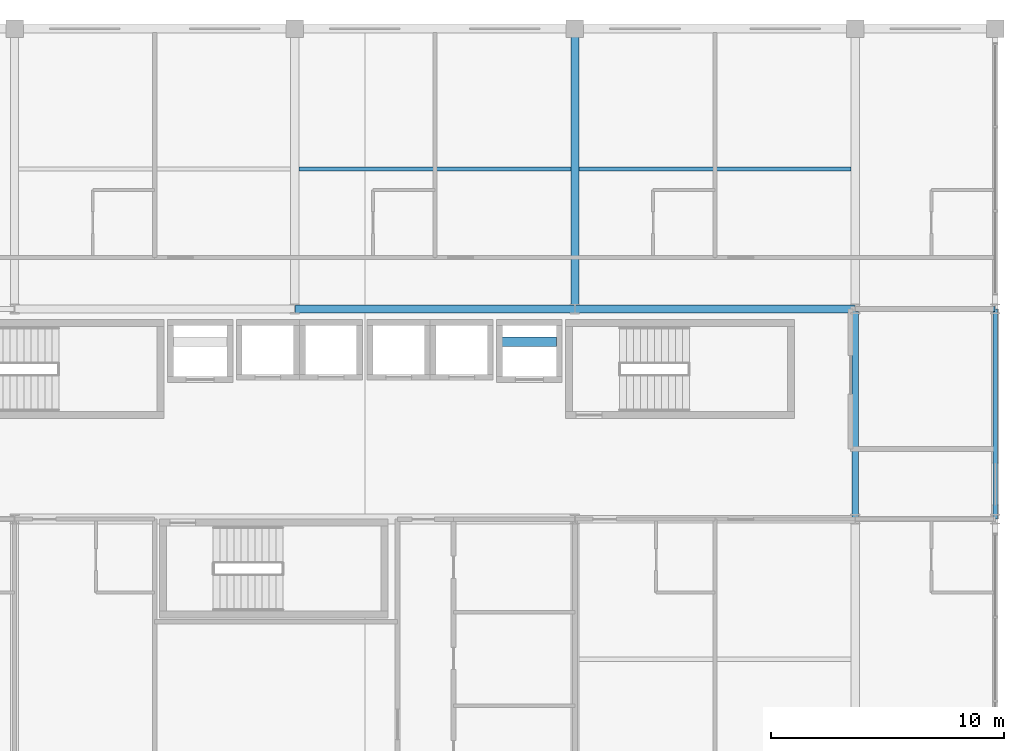
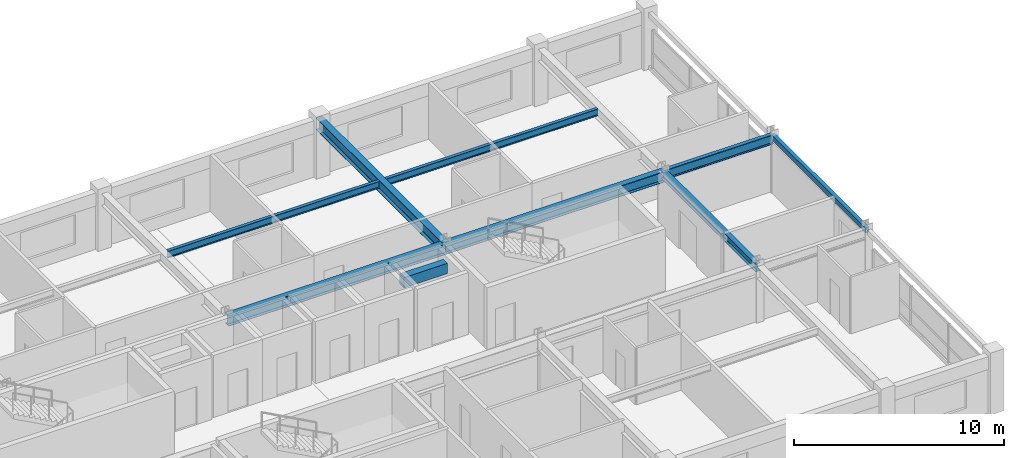
# One storey, part 11 of 21: 9 beams.
"""IFC4 building model written with IfcOpenShell, lengths in metres."""

from ifc_helpers import new_model, si_unit, direction, frame, origin, origin_2d, place, context, subcontext, project, spatial, rectangle, hollow_rectangle, i_section, extrude, material, material_profile, profile_set, type_object, element, save


model = new_model("IFC4")

# Units and contexts
model_context = context("Model", 3, precision=1e-05, world=origin(), true_north=direction((0.0, 1.0)))
body_context = subcontext(model_context, "Body", "Model", "MODEL_VIEW")
ifc_project = project(units=[si_unit("LENGTHUNIT", "METRE"), si_unit("AREAUNIT", "SQUARE_METRE"), si_unit("VOLUMEUNIT", "CUBIC_METRE"), si_unit("PLANEANGLEUNIT", "RADIAN"), si_unit("MASSUNIT", "GRAM", prefix="KILO")], contexts=[model_context])

# Site, building, storey
site_placement = place(None, origin())
site = spatial("IfcSite", under=ifc_project, at=site_placement, CompositionType="ELEMENT")
building_placement = place(site_placement, origin())
building = spatial("IfcBuilding", under=site, at=building_placement, Name="Kaldorvane Square Convention Centre", CompositionType="ELEMENT")
storey_placement = place(building_placement, frame((0.0, 0.0, 49.19999694824219)))
storey = spatial("IfcBuildingStorey", under=building, at=storey_placement, Name="L11", CompositionType="ELEMENT", Elevation=49.19999694824219)

# Beams
ifc_material_1 = material(Name="Steel ASTM A992 Gr. 50", Category="steel")
ifc_material_profile_1 = material_profile(ifc_material_1, i_section(OverallWidth=0.213897705078125, OverallDepth=0.549102783203125, WebThickness=0.0146942138671875, FlangeThickness=0.0236053466796875, FilletRadius=0.0126953125, at=origin_2d()), Name="W21X93")
ifc_profile_set_1 = profile_set([ifc_material_profile_1], Name="Steel ASTM A992 Gr. 50")
beam_type_1 = type_object("IfcBeamType", Name="BM-GR-W21X93", PredefinedType="BEAM", material=ifc_profile_set_1)
beam_1_placement = place(storey_placement, frame((78.0, 105.0, 3.011505126953125), z_axis=(1.0, 0.0, 0.0), x_axis=(0.0, 1.0, 0.0)))
element("IfcBeam", 1, at=beam_1_placement, inside=storey, type_object=beam_type_1, Name="Primary Girder (L11)", PredefinedType="BEAM", context=body_context, shape_type="SweptSolid", body=[
    extrude(i_section(OverallWidth=0.213897705078125, OverallDepth=0.549102783203125, WebThickness=0.0146942138671875, FlangeThickness=0.0236053466796875, FilletRadius=0.0126953125, at=origin_2d()), origin(), (0.0, 0.0, 1.0), 6.0),
])
ifc_material_profile_2 = material_profile(ifc_material_1, i_section(OverallWidth=0.326507568359375, OverallDepth=0.621795654296875, WebThickness=0.0153961181640625, FlangeThickness=0.0243988037109375, FilletRadius=0.0126953125, at=origin_2d()), Name="W24X131")
ifc_profile_set_2 = profile_set([ifc_material_profile_2], Name="Steel ASTM A992 Gr. 50")
beam_type_2 = type_object("IfcBeamType", Name="BM-GR-W24X131", PredefinedType="BEAM", material=ifc_profile_set_2)
for number, where, z_axis, x_axis, name in (
    (2, (54.0, 105.0, 2.97509765625), (1.0, 0.0, 0.0), (0.0, 1.0, 0.0), "Primary Girder (L11)"),
    (3, (66.0, 105.0, 2.97509765625), (1.0, 0.0, 0.0), (0.0, 1.0, 0.0), "Primary Girder (L11)"),
):
    element("IfcBeam", number, at=place(storey_placement, frame(where, z_axis=z_axis, x_axis=x_axis)), inside=storey, type_object=beam_type_2, Name=name, PredefinedType="BEAM", context=body_context, shape_type="SweptSolid", body=[
        extrude(i_section(OverallWidth=0.326507568359375, OverallDepth=0.621795654296875, WebThickness=0.0153961181640625, FlangeThickness=0.0243988037109375, FilletRadius=0.0126953125, at=origin_2d()), origin(), (0.0, 0.0, 1.0), 12.0),
    ])
ifc_material_profile_3 = material_profile(ifc_material_1, i_section(OverallWidth=0.354705810546875, OverallDepth=0.69549560546875, WebThickness=0.0153961181640625, FlangeThickness=0.0251007080078125, FilletRadius=0.01519775390625, at=origin_2d()), Name="W27X146")
ifc_profile_set_3 = profile_set([ifc_material_profile_3], Name="Steel ASTM A992 Gr. 50")
beam_type_3 = type_object("IfcBeamType", Name="BM-GR-W27X146", PredefinedType="BEAM", material=ifc_profile_set_3)
beam_2_placement = place(storey_placement, frame((66.0, 105.0, 2.9383087158203125), z_axis=(0.0, 1.0, 0.0), x_axis=(-1.0, 0.0, 0.0)))
element("IfcBeam", 4, at=beam_2_placement, inside=storey, type_object=beam_type_3, Name="Transverse Girder (L11)", PredefinedType="BEAM", context=body_context, shape_type="SweptSolid", body=[
    extrude(i_section(OverallWidth=0.354705810546875, OverallDepth=0.69549560546875, WebThickness=0.0153961181640625, FlangeThickness=0.0251007080078125, FilletRadius=0.01519775390625, at=origin_2d()), origin(), (0.0, 0.0, 1.0), 12.0),
])
ifc_material_profile_4 = material_profile(ifc_material_1, i_section(OverallWidth=0.177398681640625, OverallDepth=0.403106689453125, WebThickness=0.00750732421875, FlangeThickness=0.010894775390625, FilletRadius=0.01019287109375, at=origin_2d()), Name="W16X36")
ifc_profile_set_4 = profile_set([ifc_material_profile_4], Name="Steel ASTM A992 Gr. 50")
beam_type_4 = type_object("IfcBeamType", Name="BM-JS-W16X36", PredefinedType="JOIST", material=ifc_profile_set_4)
beam_3_placement = place(storey_placement, frame((54.17730712890625, 111.0, 3.084503173828125), z_axis=(1.0, 0.0, 0.0), x_axis=(0.0, 1.0, 0.0)))
element("IfcBeam", 5, at=beam_3_placement, inside=storey, type_object=beam_type_4, Name="Secondary Floor Joist (L11)", PredefinedType="JOIST", context=body_context, shape_type="SweptSolid", body=[
    extrude(i_section(OverallWidth=0.177398681640625, OverallDepth=0.403106689453125, WebThickness=0.00750732421875, FlangeThickness=0.010894775390625, FilletRadius=0.01019287109375, at=origin_2d()), origin(), (0.0, 0.0, 1.0), 11.645294189453125),
])
beam_4_placement = place(storey_placement, frame((66.17739868164062, 111.0, 3.084503173828125), z_axis=(1.0, 0.0, 0.0), x_axis=(0.0, 1.0, 0.0)))
element("IfcBeam", 6, at=beam_4_placement, inside=storey, type_object=beam_type_4, Name="Secondary Floor Joist (L11)", PredefinedType="JOIST", context=body_context, shape_type="SweptSolid", body=[
    extrude(i_section(OverallWidth=0.177398681640625, OverallDepth=0.403106689453125, WebThickness=0.00750732421875, FlangeThickness=0.010894775390625, FilletRadius=0.01019287109375, at=origin_2d()), origin(), (0.0, 0.0, 1.0), 11.64520263671875),
])
ifc_material_profile_5 = material_profile(ifc_material_1, i_section(OverallWidth=0.2799072265625, OverallDepth=0.462799072265625, WebThickness=0.01080322265625, FlangeThickness=0.017303466796875, FilletRadius=0.01019287109375, at=origin_2d()), Name="W18X76")
ifc_profile_set_5 = profile_set([ifc_material_profile_5], Name="Steel ASTM A992 Gr. 50")
beam_type_5 = type_object("IfcBeamType", Name="BM-JS-W18X76", PredefinedType="JOIST", material=ifc_profile_set_5)
beam_5_placement = place(storey_placement, frame((78.0, 96.0, 3.054595947265625), z_axis=(0.0, 1.0, 0.0), x_axis=(-1.0, 0.0, 0.0)))
element("IfcBeam", 7, at=beam_5_placement, inside=storey, type_object=beam_type_5, Name="Transverse Girder (L11)", PredefinedType="JOIST", context=body_context, shape_type="SweptSolid", body=[
    extrude(i_section(OverallWidth=0.2799072265625, OverallDepth=0.462799072265625, WebThickness=0.01080322265625, FlangeThickness=0.017303466796875, FilletRadius=0.01019287109375, at=origin_2d()), origin(), (0.0, 0.0, 1.0), 9.0),
])
ifc_material_2 = material(Name="Concrete f'c = 42 MPa (Normalweight)", Category="concrete")
ifc_material_profile_6 = material_profile(ifc_material_2, rectangle(XDim=0.399993896484375, YDim=0.600006103515625, at=origin_2d()), Name="RCLN600X400")
ifc_profile_set_6 = profile_set([ifc_material_profile_6], Name="Concrete f'c = 42 MPa (Normalweight)")
beam_type_6 = type_object("IfcBeamType", Name="BM-LN-RC600", PredefinedType="LINTEL", material=ifc_profile_set_6)
beam_6_placement = place(storey_placement, frame((62.80000305175781, 103.60000610351562, 2.988006591796875), z_axis=(1.0, 0.0, 0.0), x_axis=(0.0, 1.0, 0.0)))
element("IfcBeam", 8, at=beam_6_placement, inside=storey, type_object=beam_type_6, Name="Core Coupling Lintel E (L11)", PredefinedType="LINTEL", context=body_context, shape_type="SweptSolid", body=[
    extrude(rectangle(XDim=0.399993896484375, YDim=0.600006103515625, at=origin_2d()), origin(), (0.0, 0.0, 1.0), 2.399993896484375),
])
ifc_material_3 = material(Name="Steel ASTM A500 Gr. C", Category="steel")
ifc_material_profile_7 = material_profile(ifc_material_3, hollow_rectangle(XDim=0.2032012939453125, YDim=0.3047943115234375, WallThickness=0.0088958740234375, at=origin_2d()), Name="HSS12X8X3/8")
ifc_profile_set_7 = profile_set([ifc_material_profile_7], Name="Steel ASTM A500 Gr. C")
beam_type_7 = type_object("IfcBeamType", Name="BM-SP-HSS12", PredefinedType="SPANDREL", material=ifc_profile_set_7)
beam_7_placement = place(storey_placement, frame((84.0, 96.0, 3.13360595703125), z_axis=(0.0, 1.0, 0.0), x_axis=(-1.0, 0.0, 0.0)))
element("IfcBeam", 9, at=beam_7_placement, inside=storey, type_object=beam_type_7, Name="End Spandrel (L11)", PredefinedType="SPANDREL", context=body_context, shape_type="SweptSolid", body=[
    extrude(hollow_rectangle(XDim=0.2032012939453125, YDim=0.3047943115234375, WallThickness=0.0088958740234375, at=origin_2d()), origin(), (0.0, 0.0, 1.0), 9.0),
])

save(model, "model.ifc")
